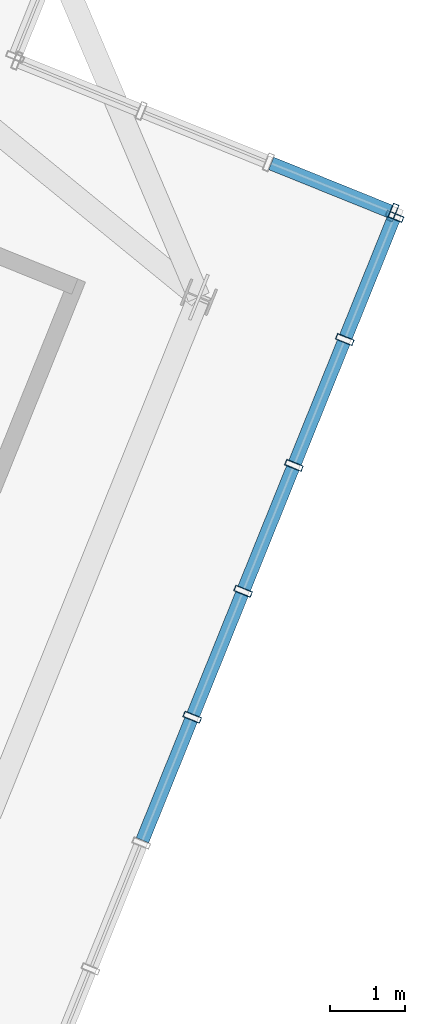
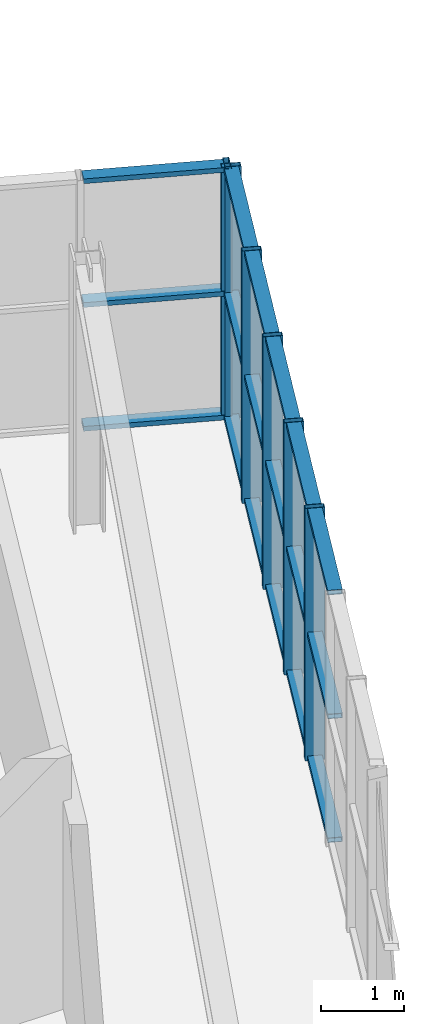
# One storey, part 11 of 26: 24 members, 2 elements without a shape of their own.
"""IFC4 building model written with IfcOpenShell, lengths in metres."""

from ifc_helpers import new_model, si_unit, direction, frame, origin, origin_2d, place, context, subcontext, project, spatial, hollow_rectangle, extrude, source, transform, mapped, material, layer, layer_set, material_profile, profile_set, type_object, element, aggregate, save


model = new_model("IFC4")

# Units and contexts
model_context = context("Model", 3, precision=1e-05, world=origin(), true_north=direction((0.0, 1.0)))
body_context = subcontext(model_context, "Body", "Model", "MODEL_VIEW")
ifc_project = project(units=[si_unit("LENGTHUNIT", "METRE"), si_unit("AREAUNIT", "SQUARE_METRE"), si_unit("VOLUMEUNIT", "CUBIC_METRE"), si_unit("PLANEANGLEUNIT", "RADIAN"), si_unit("MASSUNIT", "GRAM", prefix="KILO"), si_unit("THERMODYNAMICTEMPERATUREUNIT", "KELVIN")], contexts=[model_context])

# Site, building, storey
site_placement = place(None, origin())
site = spatial("IfcSite", under=ifc_project, at=site_placement, CompositionType="ELEMENT")
building_placement = place(site_placement, origin())
building = spatial("IfcBuilding", under=site, at=building_placement, Name="Kosmvard Interchange Tower", CompositionType="ELEMENT")
storey_placement = place(building_placement, frame((0.0, 0.0, 333.60009765625)))
storey = spatial("IfcBuildingStorey", under=building, at=storey_placement, Name="L82", CompositionType="ELEMENT", Elevation=333.60009765625)

# Curtain wall, members
ifc_material = material(Name="Architectural anodised aluminium", Category="aluminium")
ifc_layer = layer(ifc_material, 0.25, Name="Architectural anodised aluminium")
ifc_layer_set = layer_set([ifc_layer], Name="Architectural anodised aluminium")
curtain_wall_type = type_object("IfcCurtainWallType", Name="CW-6 Illuminated Crown Lantern Curtain Wall", PredefinedType="NOTDEFINED", material=ifc_layer_set)
curtain_wall_1_placement = place(storey_placement, origin())
curtain_wall_1 = element("IfcCurtainWall", 1, at=curtain_wall_1_placement, inside=storey, type_object=curtain_wall_type, Name="L82 Crown Lantern Glazing Face 01", PredefinedType="NOTDEFINED")
ifc_material_profile_1 = material_profile(ifc_material, hollow_rectangle(XDim=0.239990234375, YDim=0.080078125, WallThickness=0.006103515625, at=origin_2d()), Name="CWM 240x80x6")
ifc_profile_set_1 = profile_set([ifc_material_profile_1], Name="Architectural anodised aluminium")
member_type_1 = type_object("IfcMemberType", Name="Lantern & Observation CW Mullion 240x80 Aluminium", PredefinedType="MULLION", material=ifc_profile_set_1)
shared_shape_1 = source(origin(), body_context, "Body", "SweptSolid", [
    extrude(hollow_rectangle(XDim=0.239990234375, YDim=0.080078125, WallThickness=0.006103515625, at=origin_2d()), origin(), (0.0, 0.0, 1.0), 3.699951171875),
])
member_1_placement = place(storey_placement, frame((22.454833984375, -0.267578125, 0.0), z_axis=(0.0, 0.0, 1.0), x_axis=(-0.927183858065, 0.374606584758, 0.0)))
member_1 = element("IfcMember", 2, at=member_1_placement, type_object=member_type_1, Name="CW-6 mullion 14", PredefinedType="MULLION", context=body_context, shape_type="MappedRepresentation", body=[
    mapped(shared_shape_1, transform((0.0, 0.0, 0.0), scale=1.0)),
])
member_2_placement = place(storey_placement, frame((23.13427734375, 1.414306640625, 0.0), z_axis=(0.0, 0.0, 1.0), x_axis=(-0.927183858065, 0.374606584758, 0.0)))
member_2 = element("IfcMember", 3, at=member_2_placement, type_object=member_type_1, Name="CW-6 mullion 15", PredefinedType="MULLION", context=body_context, shape_type="MappedRepresentation", body=[
    mapped(shared_shape_1, transform((0.0, 0.0, 0.0), scale=1.0)),
])
member_3_placement = place(storey_placement, frame((23.81396484375, 3.096435546875, 0.0), z_axis=(0.0, 0.0, 1.0), x_axis=(-0.927183858065, 0.374606584758, 0.0)))
member_3 = element("IfcMember", 4, at=member_3_placement, type_object=member_type_1, Name="CW-6 mullion 16", PredefinedType="MULLION", context=body_context, shape_type="MappedRepresentation", body=[
    mapped(shared_shape_1, transform((0.0, 0.0, 0.0), scale=1.0)),
])
member_4_placement = place(storey_placement, frame((24.49365234375, 4.7783203125, 0.0), z_axis=(0.0, 0.0, 1.0), x_axis=(-0.927183858065, 0.374606584758, 0.0)))
member_4 = element("IfcMember", 5, at=member_4_placement, type_object=member_type_1, Name="CW-6 mullion 17", PredefinedType="MULLION", context=body_context, shape_type="MappedRepresentation", body=[
    mapped(shared_shape_1, transform((0.0, 0.0, 0.0), scale=1.0)),
])
member_5_placement = place(storey_placement, frame((25.158203125, 6.42333984375, 0.0), z_axis=(0.0, 0.0, 1.0), x_axis=(-0.927183858065, 0.374606584758, 0.0)))
member_5 = element("IfcMember", 6, at=member_5_placement, type_object=member_type_1, Name="CW-6 mullion 18", PredefinedType="MULLION", context=body_context, shape_type="MappedRepresentation", body=[
    mapped(shared_shape_1, transform((0.0, 0.0, 0.0), scale=1.0)),
])

# Curtain wall, member
curtain_wall_2_placement = place(storey_placement, origin())
curtain_wall_2 = element("IfcCurtainWall", 7, at=curtain_wall_2_placement, inside=storey, type_object=curtain_wall_type, Name="L82 Crown Lantern Glazing Face 02", PredefinedType="NOTDEFINED")
member_6_placement = place(storey_placement, frame((25.135986328125, 6.475341796875, 0.0), z_axis=(0.0, 0.0, 1.0), x_axis=(-0.374606564822, -0.92718386612, 0.0)))
member_6 = element("IfcMember", 8, at=member_6_placement, type_object=member_type_1, Name="CW-6 mullion 1", PredefinedType="MULLION", context=body_context, shape_type="MappedRepresentation", body=[
    mapped(shared_shape_1, transform((0.0, 0.0, 0.0), scale=1.0)),
])

# Member
ifc_material_profile_2 = material_profile(ifc_material, hollow_rectangle(XDim=0.179931640625, YDim=0.070068359375, WallThickness=0.0048828125, at=origin_2d()), Name="CWT 180x70x5")
ifc_profile_set_2 = profile_set([ifc_material_profile_2], Name="Architectural anodised aluminium")
member_type_2 = type_object("IfcMemberType", Name="Heavy Lantern CW Transom 180x70 Aluminium", PredefinedType="USERDEFINED", material=ifc_profile_set_2)
shared_shape_2 = source(origin(), body_context, "Body", "SweptSolid", [
    extrude(hollow_rectangle(XDim=0.179931640625, YDim=0.070068359375, WallThickness=0.0048828125, at=origin_2d()), origin(), (0.0, 0.0, 1.0), 1.694091796875),
])
member_7_placement = place(storey_placement, frame((24.508544921875, 4.8154296875, 0.034912109375), z_axis=(0.374544061831, 0.927209116514, 0.0), x_axis=(-0.927209116514, 0.374544061831, 0.0)))
member_7 = element("IfcMember", 9, at=member_7_placement, type_object=member_type_2, Name="CW-6 transom 17.1", ObjectType="TRANSOM", PredefinedType="USERDEFINED", context=body_context, shape_type="MappedRepresentation", body=[
    mapped(shared_shape_2, transform((0.0, 0.0, 0.0), scale=1.0)),
])

member_8_placement = place(storey_placement, frame((24.508544921875, 4.8154296875, 1.849853515625), z_axis=(0.374544061831, 0.927209116514, 0.0), x_axis=(-0.927209116514, 0.374544061831, 0.0)))
member_8 = element("IfcMember", 10, at=member_8_placement, type_object=member_type_2, Name="CW-6 transom 17.2", ObjectType="TRANSOM", PredefinedType="USERDEFINED", context=body_context, shape_type="MappedRepresentation", body=[
    mapped(shared_shape_2, transform((0.0, 0.0, 0.0), scale=1.0)),
])

member_9_placement = place(storey_placement, frame((24.508544921875, 4.8154296875, 3.664794921875), z_axis=(0.374544061831, 0.927209116514, 0.0), x_axis=(-0.927209116514, 0.374544061831, 0.0)))
member_9 = element("IfcMember", 11, at=member_9_placement, type_object=member_type_2, Name="CW-6 transom 17.3", ObjectType="TRANSOM", PredefinedType="USERDEFINED", context=body_context, shape_type="MappedRepresentation", body=[
    mapped(shared_shape_2, transform((0.0, 0.0, 0.0), scale=1.0)),
])

shared_shape_3 = source(origin(), body_context, "Body", "SweptSolid", [
    extrude(hollow_rectangle(XDim=0.179931640625, YDim=0.070068359375, WallThickness=0.0048828125, at=origin_2d()), origin(), (0.0, 0.0, 1.0), 1.734130859375),
])
member_10_placement = place(storey_placement, frame((21.790283203125, -1.91259765625, 0.034912109375), z_axis=(0.374495638732, 0.927228675447, 0.0), x_axis=(-0.927228675447, 0.374495638732, 0.0)))
member_10 = element("IfcMember", 12, at=member_10_placement, type_object=member_type_2, Name="CW-6 transom 13.1", ObjectType="TRANSOM", PredefinedType="USERDEFINED", context=body_context, shape_type="MappedRepresentation", body=[
    mapped(shared_shape_3, transform((0.0, 0.0, 0.0), scale=1.0)),
])

member_11_placement = place(storey_placement, frame((21.790283203125, -1.91259765625, 1.849853515625), z_axis=(0.374495638732, 0.927228675447, 0.0), x_axis=(-0.927228675447, 0.374495638732, 0.0)))
member_11 = element("IfcMember", 13, at=member_11_placement, type_object=member_type_2, Name="CW-6 transom 13.2", ObjectType="TRANSOM", PredefinedType="USERDEFINED", context=body_context, shape_type="MappedRepresentation", body=[
    mapped(shared_shape_3, transform((0.0, 0.0, 0.0), scale=1.0)),
])

member_12_placement = place(storey_placement, frame((21.790283203125, -1.91259765625, 3.664794921875), z_axis=(0.374495638732, 0.927228675447, 0.0), x_axis=(-0.927228675447, 0.374495638732, 0.0)))
member_12 = element("IfcMember", 14, at=member_12_placement, type_object=member_type_2, Name="CW-6 transom 13.3", ObjectType="TRANSOM", PredefinedType="USERDEFINED", context=body_context, shape_type="MappedRepresentation", body=[
    mapped(shared_shape_3, transform((0.0, 0.0, 0.0), scale=1.0)),
])

member_13_placement = place(storey_placement, frame((23.1494140625, 1.451416015625, 0.034912109375), z_axis=(0.374616671924, 0.927179782522, 0.0), x_axis=(-0.927179782522, 0.374616671924, 0.0)))
member_13 = element("IfcMember", 15, at=member_13_placement, type_object=member_type_2, Name="CW-6 transom 15.1", ObjectType="TRANSOM", PredefinedType="USERDEFINED", context=body_context, shape_type="MappedRepresentation", body=[
    mapped(shared_shape_3, transform((0.0, 0.0, 0.0), scale=1.0)),
])

member_14_placement = place(storey_placement, frame((23.1494140625, 1.451416015625, 1.849853515625), z_axis=(0.374616671924, 0.927179782522, 0.0), x_axis=(-0.927179782522, 0.374616671924, 0.0)))
member_14 = element("IfcMember", 16, at=member_14_placement, type_object=member_type_2, Name="CW-6 transom 15.2", ObjectType="TRANSOM", PredefinedType="USERDEFINED", context=body_context, shape_type="MappedRepresentation", body=[
    mapped(shared_shape_3, transform((0.0, 0.0, 0.0), scale=1.0)),
])

member_15_placement = place(storey_placement, frame((23.1494140625, 1.451416015625, 3.664794921875), z_axis=(0.374616671924, 0.927179782522, 0.0), x_axis=(-0.927179782522, 0.374616671924, 0.0)))
member_15 = element("IfcMember", 17, at=member_15_placement, type_object=member_type_2, Name="CW-6 transom 15.3", ObjectType="TRANSOM", PredefinedType="USERDEFINED", context=body_context, shape_type="MappedRepresentation", body=[
    mapped(shared_shape_3, transform((0.0, 0.0, 0.0), scale=1.0)),
])

shared_shape_4 = source(origin(), body_context, "Body", "SweptSolid", [
    extrude(hollow_rectangle(XDim=0.179931640625, YDim=0.070068359375, WallThickness=0.0048828125, at=origin_2d()), origin(), (0.0, 0.0, 1.0), 1.73388671875),
])
member_16_placement = place(storey_placement, frame((22.4697265625, -0.23046875, 0.034912109375), z_axis=(0.374665576032, 0.927160021861, 0.0), x_axis=(-0.927160021861, 0.374665576032, 0.0)))
member_16 = element("IfcMember", 18, at=member_16_placement, type_object=member_type_2, Name="CW-6 transom 14.1", ObjectType="TRANSOM", PredefinedType="USERDEFINED", context=body_context, shape_type="MappedRepresentation", body=[
    mapped(shared_shape_4, transform((0.0, 0.0, 0.0), scale=1.0)),
])

member_17_placement = place(storey_placement, frame((22.4697265625, -0.23046875, 1.849853515625), z_axis=(0.374665576032, 0.927160021861, 0.0), x_axis=(-0.927160021861, 0.374665576032, 0.0)))
member_17 = element("IfcMember", 19, at=member_17_placement, type_object=member_type_2, Name="CW-6 transom 14.2", ObjectType="TRANSOM", PredefinedType="USERDEFINED", context=body_context, shape_type="MappedRepresentation", body=[
    mapped(shared_shape_4, transform((0.0, 0.0, 0.0), scale=1.0)),
])

member_18_placement = place(storey_placement, frame((22.4697265625, -0.23046875, 3.664794921875), z_axis=(0.374665576032, 0.927160021861, 0.0), x_axis=(-0.927160021861, 0.374665576032, 0.0)))
member_18 = element("IfcMember", 20, at=member_18_placement, type_object=member_type_2, Name="CW-6 transom 14.3", ObjectType="TRANSOM", PredefinedType="USERDEFINED", context=body_context, shape_type="MappedRepresentation", body=[
    mapped(shared_shape_4, transform((0.0, 0.0, 0.0), scale=1.0)),
])

member_19_placement = place(storey_placement, frame((23.828857421875, 3.133544921875, 0.034912109375), z_axis=(0.374665576032, 0.927160021861, 0.0), x_axis=(-0.927160021861, 0.374665576032, 0.0)))
member_19 = element("IfcMember", 21, at=member_19_placement, type_object=member_type_2, Name="CW-6 transom 16.1", ObjectType="TRANSOM", PredefinedType="USERDEFINED", context=body_context, shape_type="MappedRepresentation", body=[
    mapped(shared_shape_4, transform((0.0, 0.0, 0.0), scale=1.0)),
])

member_20_placement = place(storey_placement, frame((23.828857421875, 3.133544921875, 1.849853515625), z_axis=(0.374665576032, 0.927160021861, 0.0), x_axis=(-0.927160021861, 0.374665576032, 0.0)))
member_20 = element("IfcMember", 22, at=member_20_placement, type_object=member_type_2, Name="CW-6 transom 16.2", ObjectType="TRANSOM", PredefinedType="USERDEFINED", context=body_context, shape_type="MappedRepresentation", body=[
    mapped(shared_shape_4, transform((0.0, 0.0, 0.0), scale=1.0)),
])

member_21_placement = place(storey_placement, frame((23.828857421875, 3.133544921875, 3.664794921875), z_axis=(0.374665576032, 0.927160021861, 0.0), x_axis=(-0.927160021861, 0.374665576032, 0.0)))
member_21 = element("IfcMember", 23, at=member_21_placement, type_object=member_type_2, Name="CW-6 transom 16.3", ObjectType="TRANSOM", PredefinedType="USERDEFINED", context=body_context, shape_type="MappedRepresentation", body=[
    mapped(shared_shape_4, transform((0.0, 0.0, 0.0), scale=1.0)),
])

aggregate(curtain_wall_1, [member_1, member_2, member_3, member_4, member_5, member_10, member_11, member_12, member_16, member_17, member_18, member_13, member_14, member_15, member_19, member_20, member_21, member_7, member_8, member_9])

shared_shape_5 = source(origin(), body_context, "Body", "SweptSolid", [
    extrude(hollow_rectangle(XDim=0.179931640625, YDim=0.070068359375, WallThickness=0.0048828125, at=origin_2d()), origin(), (0.0, 0.0, 1.0), 1.71337890625),
])
member_22_placement = place(storey_placement, frame((25.098876953125, 6.490478515625, 0.034912109375), z_axis=(-0.927233273404, 0.374484254265, 0.0), x_axis=(-0.374484254265, -0.927233273404, 0.0)))
member_22 = element("IfcMember", 24, at=member_22_placement, type_object=member_type_2, Name="CW-6 transom 1.1", ObjectType="TRANSOM", PredefinedType="USERDEFINED", context=body_context, shape_type="MappedRepresentation", body=[
    mapped(shared_shape_5, transform((0.0, 0.0, 0.0), scale=1.0)),
])

member_23_placement = place(storey_placement, frame((25.098876953125, 6.490478515625, 1.849853515625), z_axis=(-0.927233273404, 0.374484254265, 0.0), x_axis=(-0.374484254265, -0.927233273404, 0.0)))
member_23 = element("IfcMember", 25, at=member_23_placement, type_object=member_type_2, Name="CW-6 transom 1.2", ObjectType="TRANSOM", PredefinedType="USERDEFINED", context=body_context, shape_type="MappedRepresentation", body=[
    mapped(shared_shape_5, transform((0.0, 0.0, 0.0), scale=1.0)),
])

member_24_placement = place(storey_placement, frame((25.098876953125, 6.490478515625, 3.664794921875), z_axis=(-0.927233273404, 0.374484254265, 0.0), x_axis=(-0.374484254265, -0.927233273404, 0.0)))
member_24 = element("IfcMember", 26, at=member_24_placement, type_object=member_type_2, Name="CW-6 transom 1.3", ObjectType="TRANSOM", PredefinedType="USERDEFINED", context=body_context, shape_type="MappedRepresentation", body=[
    mapped(shared_shape_5, transform((0.0, 0.0, 0.0), scale=1.0)),
])

aggregate(curtain_wall_2, [member_6, member_22, member_23, member_24])

save(model, "model.ifc")
